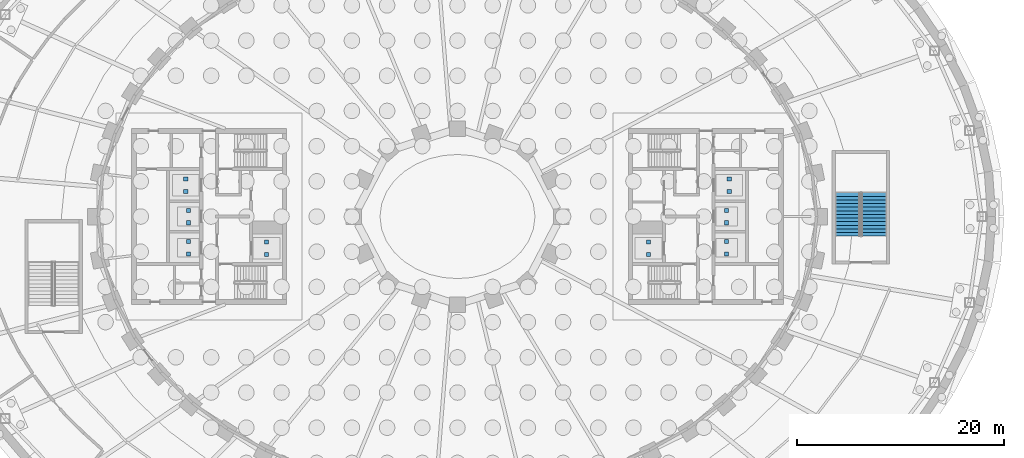
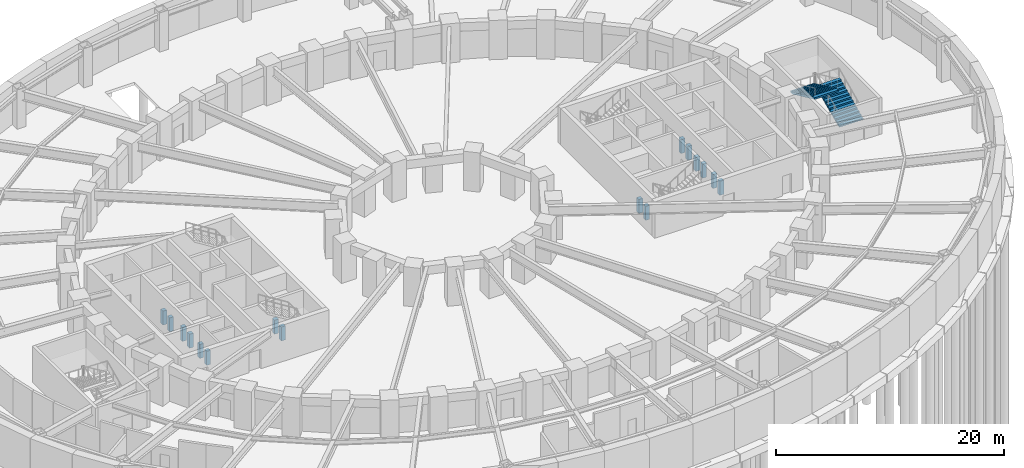
# One storey, part 16 of 19: 16 discrete accessories, 2 stair flights, 1 element without a shape of its own.
"""IFC4 building model written with IfcOpenShell, lengths in metres."""

from ifc_helpers import new_model, si_unit, direction, frame, origin, origin_2d, place, context, subcontext, project, spatial, polyline, rectangle, outline, extrude, material, type_object, element, aggregate, save


model = new_model("IFC4")

# Units and contexts
model_context = context("Model", 3, precision=1e-05, world=origin(), true_north=direction((0.0, 1.0)))
body_context = subcontext(model_context, "Body", "Model", "MODEL_VIEW")
ifc_project = project(units=[si_unit("LENGTHUNIT", "METRE"), si_unit("AREAUNIT", "SQUARE_METRE"), si_unit("VOLUMEUNIT", "CUBIC_METRE"), si_unit("PLANEANGLEUNIT", "RADIAN"), si_unit("MASSUNIT", "GRAM", prefix="KILO")], contexts=[model_context])

# Site, building, storey
site_placement = place(None, origin())
site = spatial("IfcSite", under=ifc_project, at=site_placement, CompositionType="ELEMENT")
building_placement = place(site_placement, origin())
building = spatial("IfcBuilding", under=site, at=building_placement, Name="Noorbagh Ring Tower", CompositionType="ELEMENT")
storey_placement = place(building_placement, frame((0.0, 0.0, -8.39990234375)))
storey = spatial("IfcBuildingStorey", under=building, at=storey_placement, Name="B2", CompositionType="ELEMENT", Elevation=-8.39990234375)

# Stair, stair flights
ifc_material_1 = material(Name="Concrete C40/50", Category="concrete")
stair_type = type_object("IfcStairType", Name="GND-STAIR", PredefinedType="HALF_TURN_STAIR", material=ifc_material_1)
stair_placement = place(storey_placement, origin())
stair = element("IfcStair", 1, at=stair_placement, inside=storey, type_object=stair_type, Name="B2 exit stair ST-P2", PredefinedType="HALF_TURN_STAIR")
ifc_material_2 = material(Name="Concrete C40/50", Category="concrete")
stair_flight_type = type_object("IfcStairFlightType", Name="GND-STAIR-FLIGHT", PredefinedType="STRAIGHT", material=ifc_material_2)
stair_flight_1_placement = place(storey_placement, frame((40.25, -1.89990234375, 0.0), z_axis=(0.0, 0.0, 1.0), x_axis=(0.0, 1.0, 0.0)))
stair_flight_1 = element("IfcStairFlight", 2, at=stair_flight_1_placement, type_object=stair_flight_type, Name="ST-P2 flight 1", NumberOfRisers=13, NumberOfTreads=12, PredefinedType="STRAIGHT", RiserHeight=0.161538462, TreadLength=0.35, context=body_context, shape_type="SweptSolid", body=[
    extrude(outline(polyline([(0.0, 0.0), (0.0, 0.16162109375), (0.35009765625, 0.16162109375), (0.35009765625, 0.322998046875), (0.699951171875, 0.322998046875), (0.699951171875, 0.484619140625), (1.050048828125, 0.484619140625), (1.050048828125, 0.646240234375), (1.39990234375, 0.646240234375), (1.39990234375, 0.8076171875), (1.75, 0.8076171875), (1.75, 0.96923828125), (2.10009765625, 0.96923828125), (2.10009765625, 1.130859375), (2.449951171875, 1.130859375), (2.449951171875, 1.292236328125), (2.800048828125, 1.292236328125), (2.800048828125, 1.453857421875), (3.14990234375, 1.453857421875), (3.14990234375, 1.615478515625), (3.5, 1.615478515625), (3.5, 1.77685546875), (3.85009765625, 1.77685546875), (3.85009765625, 1.9384765625), (4.199951171875, 1.9384765625), (4.199951171875, 2.10009765625), (4.199951171875, 1.7734375), (0.357666015625, 0.0), (0.0, 0.0)])), frame((0.0, 1.199951171875, 0.0), z_axis=(0.0, -1.0, 0.0), x_axis=(1.0, 0.0, 0.0)), (0.0, 0.0, 1.0), 2.39990234375),
])
stair_flight_2_placement = place(storey_placement, frame((37.699951171875, 2.300048828125, 2.099853515625), z_axis=(0.0, 0.0, 1.0), x_axis=(0.0, -1.0, 0.0)))
stair_flight_2 = element("IfcStairFlight", 3, at=stair_flight_2_placement, type_object=stair_flight_type, Name="ST-P2 flight 2", NumberOfRisers=13, NumberOfTreads=12, PredefinedType="STRAIGHT", RiserHeight=0.161538462, TreadLength=0.35, context=body_context, shape_type="SweptSolid", body=[
    extrude(outline(polyline([(0.0, 0.0), (0.0, 0.16162109375), (0.35009765625, 0.16162109375), (0.35009765625, 0.322998046875), (0.699951171875, 0.322998046875), (0.699951171875, 0.484619140625), (1.050048828125, 0.484619140625), (1.050048828125, 0.646240234375), (1.39990234375, 0.646240234375), (1.39990234375, 0.8076171875), (1.75, 0.8076171875), (1.75, 0.96923828125), (2.10009765625, 0.96923828125), (2.10009765625, 1.130859375), (2.449951171875, 1.130859375), (2.449951171875, 1.292236328125), (2.800048828125, 1.292236328125), (2.800048828125, 1.453857421875), (3.14990234375, 1.453857421875), (3.14990234375, 1.615478515625), (3.5, 1.615478515625), (3.5, 1.77685546875), (3.85009765625, 1.77685546875), (3.85009765625, 1.9384765625), (4.199951171875, 1.9384765625), (4.199951171875, 2.10009765625), (4.199951171875, 1.7734375), (0.357666015625, 0.0), (0.0, 0.0)])), frame((0.0, 1.199951171875, 0.0), z_axis=(0.0, -1.0, 0.0), x_axis=(1.0, 0.0, 0.0)), (0.0, 0.0, 1.0), 2.39990234375),
])
aggregate(stair, [stair_flight_1, stair_flight_2])

# Discrete accessories
ifc_material_3 = material(Name="Steel S355", Category="steel")
discrete_accessory_type = type_object("IfcDiscreteAccessoryType", Name="CORE-LIFT-BUFFER", PredefinedType="BRACKET", material=ifc_material_3)
for number, where, z_axis, x_axis, name in (
    (4, (-18.449951171875, -3.675048828125, -1.5), (0.0, 0.0, 1.0), (1.0, 0.0, 0.0), "Lift buffer FF1"),
    (5, (-18.449951171875, -2.47509765625, -1.5), (0.0, 0.0, 1.0), (1.0, 0.0, 0.0), "Lift buffer FF1"),
    (6, (-26.0, -3.625, -1.5), (0.0, 0.0, 1.0), (1.0, 0.0, 0.0), "Lift buffer LR1"),
    (7, (-26.0, -2.425048828125, -1.5), (0.0, 0.0, 1.0), (1.0, 0.0, 0.0), "Lift buffer LR1"),
    (8, (-26.0, -0.60009765625, -1.5), (0.0, 0.0, 1.0), (1.0, 0.0, 0.0), "Lift buffer LR2"),
    (9, (-26.0, 0.60009765625, -1.5), (0.0, 0.0, 1.0), (1.0, 0.0, 0.0), "Lift buffer LR2"),
    (10, (-26.25, 2.425048828125, -1.5), (0.0, 0.0, 1.0), (1.0, 0.0, 0.0), "Lift buffer SV1"),
    (11, (-26.25, 3.625, -1.5), (0.0, 0.0, 1.0), (1.0, 0.0, 0.0), "Lift buffer SV1"),
    (12, (18.449951171875, -3.675048828125, -1.5), (0.0, 0.0, 1.0), (1.0, 0.0, 0.0), "Lift buffer FF2"),
    (13, (18.449951171875, -2.47509765625, -1.5), (0.0, 0.0, 1.0), (1.0, 0.0, 0.0), "Lift buffer FF2"),
    (14, (26.0, -3.625, -1.5), (0.0, 0.0, 1.0), (1.0, 0.0, 0.0), "Lift buffer LR3"),
    (15, (26.0, -2.425048828125, -1.5), (0.0, 0.0, 1.0), (1.0, 0.0, 0.0), "Lift buffer LR3"),
    (16, (26.0, -0.60009765625, -1.5), (0.0, 0.0, 1.0), (1.0, 0.0, 0.0), "Lift buffer LR4"),
    (17, (26.0, 0.60009765625, -1.5), (0.0, 0.0, 1.0), (1.0, 0.0, 0.0), "Lift buffer LR4"),
    (18, (26.25, 2.425048828125, -1.5), (0.0, 0.0, 1.0), (1.0, 0.0, 0.0), "Lift buffer SV2"),
    (19, (26.25, 3.625, -1.5), (0.0, 0.0, 1.0), (1.0, 0.0, 0.0), "Lift buffer SV2"),
):
    element("IfcDiscreteAccessory", number, at=place(storey_placement, frame(where, z_axis=z_axis, x_axis=x_axis)), inside=storey, type_object=discrete_accessory_type, Name=name, PredefinedType="BRACKET", context=body_context, shape_type="SweptSolid", body=[
        extrude(rectangle(XDim=0.39990234375, YDim=0.39990234375, at=origin_2d()), origin(), (0.0, 0.0, 1.0), 1.5),
    ])

save(model, "model.ifc")
